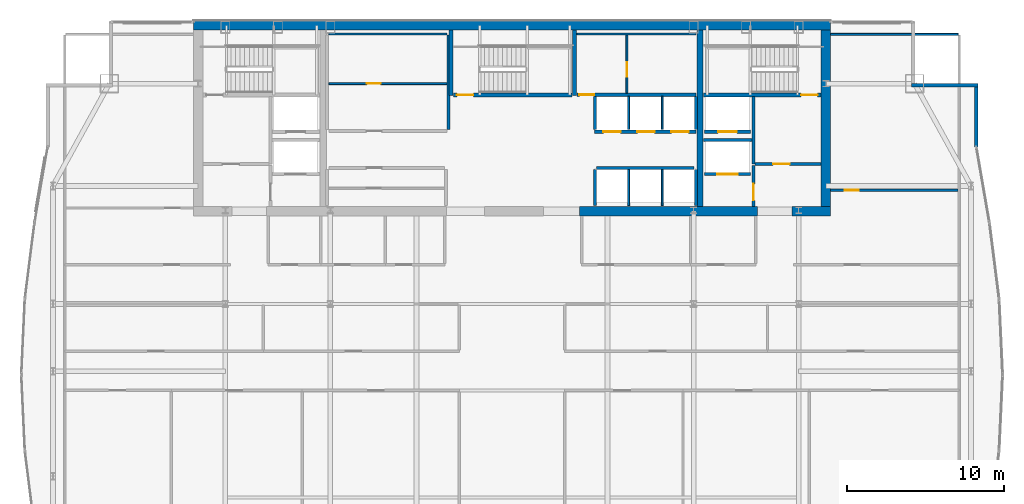
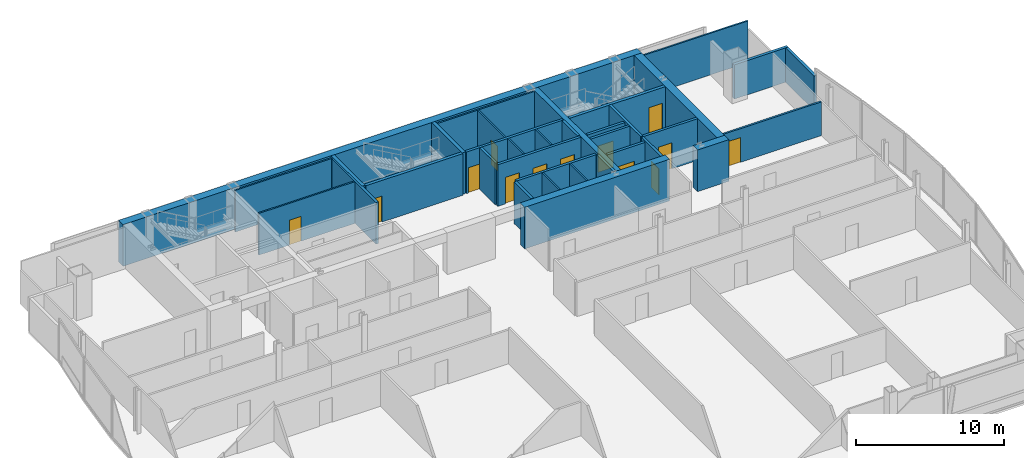
# One storey, part 27 of 30: 35 walls, 13 doors, 13 openings.
"""IFC4 building model written with IfcOpenShell, lengths in metres."""

from ifc_helpers import new_model, si_unit, direction, frame, frame_2d, origin, place, context, subcontext, project, spatial, rectangle, extrude, material, layer, layer_set, type_object, element, fill, save


model = new_model("IFC4")

# Units and contexts
model_context = context("Model", 3, precision=1e-05, world=origin(), true_north=direction((0.0, 1.0)))
body_context = subcontext(model_context, "Body", "Model", "MODEL_VIEW")
ifc_project = project(units=[si_unit("LENGTHUNIT", "METRE"), si_unit("AREAUNIT", "SQUARE_METRE"), si_unit("VOLUMEUNIT", "CUBIC_METRE"), si_unit("PLANEANGLEUNIT", "RADIAN"), si_unit("MASSUNIT", "GRAM", prefix="KILO")], contexts=[model_context])

# Site, building, storey
site_placement = place(None, origin())
site = spatial("IfcSite", under=ifc_project, at=site_placement, CompositionType="ELEMENT")
building_placement = place(site_placement, origin())
building = spatial("IfcBuilding", under=site, at=building_placement, Name="Khoronbel Lancet Exchange", CompositionType="ELEMENT")
storey_placement = place(building_placement, frame((0.0, 0.0, 224.60009765625)))
storey = spatial("IfcBuildingStorey", under=building, at=storey_placement, Name="L57", CompositionType="ELEMENT", Elevation=224.60009765625)

# Walls
ifc_material_1 = material(Name="Concrete C60/75", Category="concrete")
ifc_layer_1 = layer(ifc_material_1, 0.60009765625, Name="Concrete C60/75")
ifc_layer_set_1 = layer_set([ifc_layer_1], Name="Concrete C60/75")
wall_type_1 = type_object("IfcWallType", Name="WL-CW3", PredefinedType="SHEAR", material=ifc_layer_set_1)
wall_1_placement = place(storey_placement, frame((16.199951171875, 53.39990234375, 0.0), z_axis=(0.0, 0.0, 1.0), x_axis=(1.0, 0.0, 0.0)))
element("IfcWall", 1, at=wall_1_placement, inside=storey, type_object=wall_type_1, Name="Level L57 rear core north shear wall", PredefinedType="SHEAR", context=body_context, shape_type="SweptSolid", body=[
    extrude(rectangle(XDim=40.5, YDim=0.60009765625, at=frame_2d((20.25, 0.0))), origin(), (0.0, 0.0, 1.0), 3.43994140625),
])
wall_2_placement = place(storey_placement, frame((56.39990234375, 53.10009765625, 0.0), z_axis=(0.0, 0.0, 1.0), x_axis=(0.0, -1.0, 0.0)))
element("IfcWall", 2, at=wall_2_placement, inside=storey, type_object=wall_type_1, Name="Level L57 rear core east shear wall", PredefinedType="SHEAR", context=body_context, shape_type="SweptSolid", body=[
    extrude(rectangle(XDim=11.2001953125, YDim=0.60009765625, at=frame_2d((5.60009765625, 0.0))), origin(), (0.0, 0.0, 1.0), 3.43994140625),
])
wall_3_placement = place(storey_placement, frame((52.050048828125, 41.60009765625, 0.0), z_axis=(0.0, 0.0, 1.0), x_axis=(-1.0, 0.0, 0.0)))
element("IfcWall", 3, at=wall_3_placement, inside=storey, type_object=wall_type_1, Name="Level L57 rear core south shear wall pier P4", PredefinedType="SHEAR", context=body_context, shape_type="SweptSolid", body=[
    extrude(rectangle(XDim=11.300048828125, YDim=0.60009765625, at=frame_2d((5.64990234375, 0.0))), origin(), (0.0, 0.0, 1.0), 3.43994140625),
])
wall_4_placement = place(storey_placement, frame((56.699951171875, 41.60009765625, 0.0), z_axis=(0.0, 0.0, 1.0), x_axis=(-1.0, 0.0, 0.0)))
element("IfcWall", 4, at=wall_4_placement, inside=storey, type_object=wall_type_1, Name="Level L57 rear core south shear wall pier P5", PredefinedType="SHEAR", context=body_context, shape_type="SweptSolid", body=[
    extrude(rectangle(XDim=2.449951171875, YDim=0.60009765625, at=frame_2d((1.22509765625, 0.0))), origin(), (0.0, 0.0, 1.0), 3.43994140625),
])
ifc_material_2 = material(Name="Precast concrete C40/50", Category="concrete")
ifc_layer_2 = layer(ifc_material_2, 0.25, Name="Precast concrete C40/50")
ifc_layer_set_2 = layer_set([ifc_layer_2], Name="Precast concrete C40/50")
wall_type_2 = type_object("IfcWallType", Name="WL-EXT250", PredefinedType="SOLIDWALL", material=ifc_layer_set_2)
wall_5_placement = place(storey_placement, frame((61.85009765625, 49.610107421875, 0.0), z_axis=(0.0, 0.0, 1.0), x_axis=(1.0, 0.0, 0.0)))
element("IfcWall", 5, at=wall_5_placement, inside=storey, type_object=wall_type_2, Name="Level L57 notched-corner limestone pier 15", PredefinedType="SOLIDWALL", context=body_context, shape_type="SweptSolid", body=[
    extrude(rectangle(XDim=4.219970703125, YDim=0.219970703125, at=frame_2d((2.10986328125, 0.0))), origin(), (0.0, 0.0, 1.0), 2.829833984375),
])
wall_6_placement = place(storey_placement, frame((65.9599609375, 49.5, 0.0), z_axis=(0.0, 0.0, 1.0), x_axis=(0.0, -1.0, 0.0)))
element("IfcWall", 6, at=wall_6_placement, inside=storey, type_object=wall_type_2, Name="Level L57 notched-corner limestone pier 16", PredefinedType="SOLIDWALL", context=body_context, shape_type="SweptSolid", body=[
    extrude(rectangle(XDim=3.82763671875, YDim=0.219970703125, at=frame_2d((1.913818359375, 0.0))), origin(), (0.0, 0.0, 1.0), 2.829833984375),
])

# Wall, opening, door
ifc_material_3 = material(Name="Acoustic Metal-Stud & Mineral-Wool Gypsum Partition 120 mm", Category="gypsum")
ifc_layer_3 = layer(ifc_material_3, 0.1201171875, Name="Acoustic Metal-Stud & Mineral-Wool Gypsum Partition 120 mm")
ifc_layer_set_3 = layer_set([ifc_layer_3], Name="Acoustic Metal-Stud & Mineral-Wool Gypsum Partition 120 mm")
wall_type_3 = type_object("IfcWallType", Name="WL-PRT120", PredefinedType="PARTITIONING", material=ifc_layer_set_3)
wall_7_placement = place(storey_placement, frame((56.699951171875, 42.919921875, 0.0), z_axis=(0.0, 0.0, 1.0), x_axis=(1.0, 0.0, 0.0)))
wall_7 = element("IfcWall", 7, at=wall_7_placement, inside=storey, type_object=wall_type_3, Name="Level L57 interior partition PW-NE-H", PredefinedType="PARTITIONING", context=body_context, shape_type="SweptSolid", body=[
    extrude(rectangle(XDim=8.10498046875, YDim=0.14990234375, at=frame_2d((4.052490234375, 0.0))), origin(), (0.0, 0.0, 1.0), 2.77978515625),
])
opening_1_placement = place(wall_7_placement, frame((0.89990234375, 0.0, 0.0)))
opening_1 = element("IfcOpeningElement", 8, at=opening_1_placement, cuts=wall_7, Name="Opening D5", PredefinedType="OPENING", context=body_context, shape_type="SweptSolid", body=[
    extrude(rectangle(XDim=0.89990234375, YDim=2.050048828125, at=frame_2d((0.449951171875, 1.02490234375))), frame((0.0, 0.0849609375, 0.0), z_axis=(0.0, -1.0, 0.0), x_axis=(1.0, 0.0, 0.0)), (0.0, 0.0, 1.0), 0.169921875),
])
ifc_material_4 = material(Name="Acoustic Timber Pantry & Support Door", Category="wood")
door_type_1 = type_object("IfcDoorType", Name="DR-D5", OperationType="NOTDEFINED", PredefinedType="DOOR", material=ifc_material_4)
door_1_placement = place(opening_1_placement, origin())
door_1 = element("IfcDoor", 9, at=door_1_placement, inside=storey, type_object=door_type_1, Name="NE north room door L57-1", OperationType="SINGLE_SWING_RIGHT", OverallHeight=2.050048828125, OverallWidth=0.89990234375, PredefinedType="DOOR", context=body_context, shape_type="SweptSolid", body=[
    extrude(rectangle(XDim=0.89990234375, YDim=2.050048828125, at=frame_2d((0.449951171875, 1.02490234375))), frame((0.0, 0.02490234375, 0.0), z_axis=(0.0, -1.0, 0.0), x_axis=(1.0, 0.0, 0.0)), (0.0, 0.0, 1.0), 0.050048828125),
])
fill(opening_1, door_1)

# Walls
wall_8_placement = place(storey_placement, frame((56.699951171875, 52.840087890625, 0.0), z_axis=(0.0, 0.0, 1.0), x_axis=(1.0, 0.0, 0.0)))
element("IfcWall", 10, at=wall_8_placement, inside=storey, type_object=wall_type_3, Name="Level L57 interior partition PW-LIN-NE", PredefinedType="PARTITIONING", context=body_context, shape_type="SweptSolid", body=[
    extrude(rectangle(XDim=8.10498046875, YDim=0.1201171875, at=frame_2d((4.052490234375, 0.0))), origin(), (0.0, 0.0, 1.0), 3.43994140625),
])
ifc_material_5 = material(Name="Fire-Rated Metal-Stud & Mineral-Wool Gypsum Partition 120 mm", Category="gypsum")
ifc_layer_4 = layer(ifc_material_5, 0.1201171875, Name="Fire-Rated Metal-Stud & Mineral-Wool Gypsum Partition 120 mm")
ifc_layer_set_4 = layer_set([ifc_layer_4], Name="Fire-Rated Metal-Stud & Mineral-Wool Gypsum Partition 120 mm")
wall_type_4 = type_object("IfcWallType", Name="WL-PRT120F", PredefinedType="PARTITIONING", material=ifc_layer_set_4)
wall_9_placement = place(storey_placement, frame((24.804931640625, 52.860107421875, 0.0), z_axis=(0.0, 0.0, 1.0), x_axis=(1.0, 0.0, 0.0)))
element("IfcWall", 11, at=wall_9_placement, inside=storey, type_object=wall_type_4, Name="Level L57 interior partition CW-PL-RN", PredefinedType="PARTITIONING", context=body_context, shape_type="SweptSolid", body=[
    extrude(rectangle(XDim=7.510009765625, YDim=0.1201171875, at=frame_2d((3.7548828125, 0.0))), origin(), (0.0, 0.0, 1.0), 3.43994140625),
])

# Wall, opening, door
wall_10_placement = place(storey_placement, frame((24.804931640625, 49.708740234375, 0.0), z_axis=(0.0, 0.0, 1.0), x_axis=(1.0, 0.0, 0.0)))
wall_10 = element("IfcWall", 12, at=wall_10_placement, inside=storey, type_object=wall_type_4, Name="Level L57 interior partition CW-PL-RH", PredefinedType="PARTITIONING", context=body_context, shape_type="SweptSolid", body=[
    extrude(rectangle(XDim=7.510009765625, YDim=0.1201171875, at=frame_2d((3.7548828125, 0.0))), origin(), (0.0, 0.0, 1.0), 3.43994140625),
])
opening_2_placement = place(wall_10_placement, frame((2.39990234375, 0.0, 0.0)))
opening_2 = element("IfcOpeningElement", 13, at=opening_2_placement, cuts=wall_10, Name="Opening FD4", PredefinedType="OPENING", context=body_context, shape_type="SweptSolid", body=[
    extrude(rectangle(XDim=0.89990234375, YDim=2.050048828125, at=frame_2d((0.449951171875, 1.02490234375))), frame((0.0, 0.070068359375, 0.0), z_axis=(0.0, -1.0, 0.0), x_axis=(1.0, 0.0, 0.0)), (0.0, 0.0, 1.0), 0.14013671875),
])
ifc_material_6 = material(Name="Fire-Rated Steel Core Support Door Assembly", Category="steel")
door_type_2 = type_object("IfcDoorType", Name="DR-FD4", OperationType="NOTDEFINED", PredefinedType="DOOR", material=ifc_material_6)
door_2_placement = place(opening_2_placement, origin())
door_2 = element("IfcDoor", 14, at=door_2_placement, inside=storey, type_object=door_type_2, Name="Core PL inner store door L57-1", OperationType="SINGLE_SWING_RIGHT", OverallHeight=2.050048828125, OverallWidth=0.89990234375, PredefinedType="DOOR", context=body_context, shape_type="SweptSolid", body=[
    extrude(rectangle(XDim=0.89990234375, YDim=2.050048828125, at=frame_2d((0.449951171875, 1.02490234375))), frame((0.0, 0.02490234375, 0.0), z_axis=(0.0, -1.0, 0.0), x_axis=(1.0, 0.0, 0.0)), (0.0, 0.0, 1.0), 0.050048828125),
])
fill(opening_2, door_2)

# Walls
for number, where, z_axis, x_axis, name in (
    (15, (43.860107421875, 46.800048828125, 0.0), (0.0, 0.0, 1.0), (0.0, 1.0, 0.0), "Level L57 interior partition CW-PH-D1"),
    (16, (46.0, 46.800048828125, 0.0), (0.0, 0.0, 1.0), (0.0, 1.0, 0.0), "Level L57 interior partition CW-PH-D2"),
):
    element("IfcWall", number, at=place(storey_placement, frame(where, z_axis=z_axis, x_axis=x_axis)), inside=storey, type_object=wall_type_4, Name=name, PredefinedType="PARTITIONING", context=body_context, shape_type="SweptSolid", body=[
        extrude(rectangle(XDim=2.094970703125, YDim=0.1201171875, at=frame_2d((1.04736328125, 0.0))), origin(), (0.0, 0.0, 1.0), 3.43994140625),
    ])
for number, where, z_axis, x_axis, name in (
    (17, (43.860107421875, 41.949951171875, 0.0), (0.0, 0.0, 1.0), (0.0, 1.0, 0.0), "Level L57 interior partition CW-PX-D1"),
    (18, (46.0, 41.949951171875, 0.0), (0.0, 0.0, 1.0), (0.0, 1.0, 0.0), "Level L57 interior partition CW-PX-D2"),
):
    element("IfcWall", number, at=place(storey_placement, frame(where, z_axis=z_axis, x_axis=x_axis)), inside=storey, type_object=wall_type_4, Name=name, PredefinedType="PARTITIONING", context=body_context, shape_type="SweptSolid", body=[
        extrude(rectangle(XDim=2.295166015625, YDim=0.1201171875, at=frame_2d((1.1474609375, 0.0))), origin(), (0.0, 0.0, 1.0), 3.43994140625),
    ])
wall_11_placement = place(storey_placement, frame((40.580078125, 52.860107421875, 0.0), z_axis=(0.0, 0.0, 1.0), x_axis=(1.0, 0.0, 0.0)))
element("IfcWall", 19, at=wall_11_placement, inside=storey, type_object=wall_type_4, Name="Level L57 interior partition CW-SUP-NE-N", PredefinedType="PARTITIONING", context=body_context, shape_type="SweptSolid", body=[
    extrude(rectangle(XDim=7.559814453125, YDim=0.1201171875, at=frame_2d((3.77978515625, 0.0))), origin(), (0.0, 0.0, 1.0), 3.43994140625),
])

# Wall, opening, door
wall_12_placement = place(storey_placement, frame((43.755126953125, 49.10498046875, 0.0), z_axis=(0.0, 0.0, 1.0), x_axis=(0.0, 1.0, 0.0)))
wall_12 = element("IfcWall", 20, at=wall_12_placement, inside=storey, type_object=wall_type_4, Name="Level L57 interior partition CW-SUP-NE-M", PredefinedType="PARTITIONING", context=body_context, shape_type="SweptSolid", body=[
    extrude(rectangle(XDim=3.68994140625, YDim=0.1201171875, at=frame_2d((1.844970703125, 0.0))), origin(), (0.0, 0.0, 1.0), 3.43994140625),
])
opening_3_placement = place(wall_12_placement, frame((1.050048828125, 0.0, 0.0)))
opening_3 = element("IfcOpeningElement", 21, at=opening_3_placement, cuts=wall_12, Name="Opening FD4", PredefinedType="OPENING", context=body_context, shape_type="SweptSolid", body=[
    extrude(rectangle(XDim=0.89990234375, YDim=2.050048828125, at=frame_2d((0.449951171875, 1.02490234375))), frame((0.0, 0.070068359375, 0.0), z_axis=(0.0, -1.0, 0.0), x_axis=(1.0, 0.0, 0.0)), (0.0, 0.0, 1.0), 0.14013671875),
])
door_3_placement = place(opening_3_placement, origin())
door_3 = element("IfcDoor", 22, at=door_3_placement, inside=storey, type_object=door_type_2, Name="Core NE inner support door L57-1", OperationType="SINGLE_SWING_LEFT", OverallHeight=2.050048828125, OverallWidth=0.89990234375, PredefinedType="DOOR", context=body_context, shape_type="SweptSolid", body=[
    extrude(rectangle(XDim=0.89990234375, YDim=2.050048828125, at=frame_2d((0.449951171875, 1.02490234375))), frame((0.0, 0.02490234375, 0.0), z_axis=(0.0, -1.0, 0.0), x_axis=(1.0, 0.0, 0.0)), (0.0, 0.0, 1.0), 0.050048828125),
])
fill(opening_3, door_3)

ifc_material_7 = material(Name="Autoclaved Aerated Concrete Blockwork 200 mm", Category="masonry")
ifc_layer_5 = layer(ifc_material_7, 0.199951171875, Name="Autoclaved Aerated Concrete Blockwork 200 mm")
ifc_layer_set_5 = layer_set([ifc_layer_5], Name="Autoclaved Aerated Concrete Blockwork 200 mm")
wall_type_5 = type_object("IfcWallType", Name="WL-PRT200", PredefinedType="PARTITIONING", material=ifc_layer_set_5)
wall_13_placement = place(storey_placement, frame((51.610107421875, 43.949951171875, 0.0), z_axis=(0.0, 0.0, 1.0), x_axis=(-1.0, 0.0, 0.0)))
wall_13 = element("IfcWall", 23, at=wall_13_placement, inside=storey, type_object=wall_type_5, Name="Level L57 elevator hoistway landing front wall SVLE", PredefinedType="PARTITIONING", context=body_context, shape_type="SweptSolid", body=[
    extrude(rectangle(XDim=2.920166015625, YDim=0.199951171875, at=frame_2d((1.4599609375, 0.0))), origin(), (0.0, 0.0, 1.0), 3.43994140625),
])
opening_4_placement = place(wall_13_placement, frame((0.81005859375, 0.0, 0.0)))
opening_4 = element("IfcOpeningElement", 24, at=opening_4_placement, cuts=wall_13, Name="Opening LD-SVL2", PredefinedType="OPENING", context=body_context, shape_type="SweptSolid", body=[
    extrude(rectangle(XDim=1.300048828125, YDim=2.179931640625, at=frame_2d((0.64990234375, 1.08984375))), frame((0.0, 0.10986328125, 0.0), z_axis=(0.0, -1.0, 0.0), x_axis=(1.0, 0.0, 0.0)), (0.0, 0.0, 1.0), 0.219970703125),
])
ifc_material_8 = material(Name="Heavy-Duty Bi-Parting Goods Lift Landing Door", Category="steel")
door_type_3 = type_object("IfcDoorType", Name="DR-LD-SVL", OperationType="NOTDEFINED", PredefinedType="DOOR", material=ifc_material_8)
door_4_placement = place(opening_4_placement, origin())
door_4 = element("IfcDoor", 25, at=door_4_placement, inside=storey, type_object=door_type_3, Name="Elevator landing sliding door LD-SVL2 L57", OperationType="SLIDING_TO_LEFT", OverallHeight=2.179931640625, OverallWidth=1.300048828125, PredefinedType="DOOR", context=body_context, shape_type="SweptSolid", body=[
    extrude(rectangle(XDim=1.300048828125, YDim=2.179931640625, at=frame_2d((0.64990234375, 1.08984375))), frame((0.0, 0.02490234375, 0.0), z_axis=(0.0, -1.0, 0.0), x_axis=(1.0, 0.0, 0.0)), (0.0, 0.0, 1.0), 0.050048828125),
])
fill(opening_4, door_4)

wall_14_placement = place(storey_placement, frame((51.610107421875, 46.64990234375, 0.0), z_axis=(0.0, 0.0, 1.0), x_axis=(-1.0, 0.0, 0.0)))
wall_14 = element("IfcWall", 26, at=wall_14_placement, inside=storey, type_object=wall_type_5, Name="Level L57 elevator hoistway landing front wall FFLE", PredefinedType="PARTITIONING", context=body_context, shape_type="SweptSolid", body=[
    extrude(rectangle(XDim=2.920166015625, YDim=0.199951171875, at=frame_2d((1.4599609375, 0.0))), origin(), (0.0, 0.0, 1.0), 3.43994140625),
])
opening_5_placement = place(wall_14_placement, frame((0.860107421875, 0.0, 0.0)))
opening_5 = element("IfcOpeningElement", 27, at=opening_5_placement, cuts=wall_14, Name="Opening LD-FFL2", PredefinedType="OPENING", context=body_context, shape_type="SweptSolid", body=[
    extrude(rectangle(XDim=1.199951171875, YDim=2.179931640625, at=frame_2d((0.60009765625, 1.08984375))), frame((0.0, 0.10986328125, 0.0), z_axis=(0.0, -1.0, 0.0), x_axis=(1.0, 0.0, 0.0)), (0.0, 0.0, 1.0), 0.219970703125),
])
ifc_material_9 = material(Name="Fire-Rated Stainless Bi-Parting Firefighting Lift Door", Category="steel")
door_type_4 = type_object("IfcDoorType", Name="DR-LD-FFL", OperationType="NOTDEFINED", PredefinedType="DOOR", material=ifc_material_9)
door_5_placement = place(opening_5_placement, origin())
door_5 = element("IfcDoor", 28, at=door_5_placement, inside=storey, type_object=door_type_4, Name="Elevator landing sliding door LD-FFL2 L57", OperationType="SLIDING_TO_LEFT", OverallHeight=2.179931640625, OverallWidth=1.199951171875, PredefinedType="DOOR", context=body_context, shape_type="SweptSolid", body=[
    extrude(rectangle(XDim=1.199951171875, YDim=2.179931640625, at=frame_2d((0.60009765625, 1.08984375))), frame((0.0, 0.02490234375, 0.0), z_axis=(0.0, -1.0, 0.0), x_axis=(1.0, 0.0, 0.0)), (0.0, 0.0, 1.0), 0.050048828125),
])
fill(opening_5, door_5)

# Wall, openings, doors
wall_15_placement = place(storey_placement, frame((48.159912109375, 46.64990234375, 0.0), z_axis=(0.0, 0.0, 1.0), x_axis=(-1.0, 0.0, 0.0)))
wall_15 = element("IfcWall", 29, at=wall_15_placement, inside=storey, type_object=wall_type_5, Name="Level L57 elevator hoistway landing front wall PHE", PredefinedType="PARTITIONING", context=body_context, shape_type="SweptSolid", body=[
    extrude(rectangle(XDim=6.47998046875, YDim=0.199951171875, at=frame_2d((3.239990234375, 0.0))), origin(), (0.0, 0.0, 1.0), 3.43994140625),
])
opening_6_placement = place(wall_15_placement, frame((4.800048828125, 0.0, 0.0)))
opening_6 = element("IfcOpeningElement", 30, at=opening_6_placement, cuts=wall_15, Name="Opening LD-PH1", PredefinedType="OPENING", context=body_context, shape_type="SweptSolid", body=[
    extrude(rectangle(XDim=1.10009765625, YDim=2.179931640625, at=frame_2d((0.550048828125, 1.08984375))), frame((0.0, 0.10986328125, 0.0), z_axis=(0.0, -1.0, 0.0), x_axis=(1.0, 0.0, 0.0)), (0.0, 0.0, 1.0), 0.219970703125),
])
opening_7_placement = place(wall_15_placement, frame((2.639892578125, 0.0, 0.0)))
opening_7 = element("IfcOpeningElement", 31, at=opening_7_placement, cuts=wall_15, Name="Opening LD-PH2", PredefinedType="OPENING", context=body_context, shape_type="SweptSolid", body=[
    extrude(rectangle(XDim=1.10009765625, YDim=2.179931640625, at=frame_2d((0.550048828125, 1.08984375))), frame((0.0, 0.10986328125, 0.0), z_axis=(0.0, -1.0, 0.0), x_axis=(1.0, 0.0, 0.0)), (0.0, 0.0, 1.0), 0.219970703125),
])
opening_8_placement = place(wall_15_placement, frame((0.47998046875, 0.0, 0.0)))
opening_8 = element("IfcOpeningElement", 32, at=opening_8_placement, cuts=wall_15, Name="Opening LD-PH3", PredefinedType="OPENING", context=body_context, shape_type="SweptSolid", body=[
    extrude(rectangle(XDim=1.10009765625, YDim=2.179931640625, at=frame_2d((0.550048828125, 1.08984375))), frame((0.0, 0.10986328125, 0.0), z_axis=(0.0, -1.0, 0.0), x_axis=(1.0, 0.0, 0.0)), (0.0, 0.0, 1.0), 0.219970703125),
])
ifc_material_10 = material(Name="Brushed Bronze Bi-Parting Elevator Landing Door", Category="steel")
door_type_5 = type_object("IfcDoorType", Name="DR-LD-PAX", OperationType="NOTDEFINED", PredefinedType="DOOR", material=ifc_material_10)
door_6_placement = place(opening_6_placement, origin())
door_6 = element("IfcDoor", 33, at=door_6_placement, inside=storey, type_object=door_type_5, Name="Elevator landing sliding door LD-PH1 L57", OperationType="SLIDING_TO_LEFT", OverallHeight=2.179931640625, OverallWidth=1.10009765625, PredefinedType="DOOR", context=body_context, shape_type="SweptSolid", body=[
    extrude(rectangle(XDim=1.10009765625, YDim=2.179931640625, at=frame_2d((0.550048828125, 1.08984375))), frame((0.0, 0.02490234375, 0.0), z_axis=(0.0, -1.0, 0.0), x_axis=(1.0, 0.0, 0.0)), (0.0, 0.0, 1.0), 0.050048828125),
])
fill(opening_6, door_6)
door_7_placement = place(opening_7_placement, origin())
door_7 = element("IfcDoor", 34, at=door_7_placement, inside=storey, type_object=door_type_5, Name="Elevator landing sliding door LD-PH2 L57", OperationType="SLIDING_TO_LEFT", OverallHeight=2.179931640625, OverallWidth=1.10009765625, PredefinedType="DOOR", context=body_context, shape_type="SweptSolid", body=[
    extrude(rectangle(XDim=1.10009765625, YDim=2.179931640625, at=frame_2d((0.550048828125, 1.08984375))), frame((0.0, 0.02490234375, 0.0), z_axis=(0.0, -1.0, 0.0), x_axis=(1.0, 0.0, 0.0)), (0.0, 0.0, 1.0), 0.050048828125),
])
fill(opening_7, door_7)
door_8_placement = place(opening_8_placement, origin())
door_8 = element("IfcDoor", 35, at=door_8_placement, inside=storey, type_object=door_type_5, Name="Elevator landing sliding door LD-PH3 L57", OperationType="SLIDING_TO_LEFT", OverallHeight=2.179931640625, OverallWidth=1.10009765625, PredefinedType="DOOR", context=body_context, shape_type="SweptSolid", body=[
    extrude(rectangle(XDim=1.10009765625, YDim=2.179931640625, at=frame_2d((0.550048828125, 1.08984375))), frame((0.0, 0.02490234375, 0.0), z_axis=(0.0, -1.0, 0.0), x_axis=(1.0, 0.0, 0.0)), (0.0, 0.0, 1.0), 0.050048828125),
])
fill(opening_8, door_8)

# Wall
wall_16_placement = place(storey_placement, frame((51.800048828125, 44.60009765625, 0.0), z_axis=(0.0, 0.0, 1.0), x_axis=(0.0, 1.0, 0.0)))
element("IfcWall", 36, at=wall_16_placement, inside=storey, type_object=wall_type_5, Name="Level L57 interior partition CW-FFLE-W", PredefinedType="PARTITIONING", context=body_context, shape_type="SweptSolid", body=[
    extrude(rectangle(XDim=4.2998046875, YDim=0.199951171875, at=frame_2d((2.14990234375, 0.0))), origin(), (0.0, 0.0, 1.0), 3.43994140625),
])

# Wall, opening, door
wall_17_placement = place(storey_placement, frame((51.89990234375, 44.60009765625, 0.0), z_axis=(0.0, 0.0, 1.0), x_axis=(1.0, 0.0, 0.0)))
wall_17 = element("IfcWall", 37, at=wall_17_placement, inside=storey, type_object=wall_type_5, Name="Level L57 interior partition CW-FFLE-S", PredefinedType="PARTITIONING", context=body_context, shape_type="SweptSolid", body=[
    extrude(rectangle(XDim=4.2001953125, YDim=0.199951171875, at=frame_2d((2.10009765625, 0.0))), origin(), (0.0, 0.0, 1.0), 3.43994140625),
])
opening_9_placement = place(wall_17_placement, frame((1.14990234375, 0.0, 0.0)))
opening_9 = element("IfcOpeningElement", 38, at=opening_9_placement, cuts=wall_17, Name="Opening FD1", PredefinedType="OPENING", context=body_context, shape_type="SweptSolid", body=[
    extrude(rectangle(XDim=1.050048828125, YDim=2.14990234375, at=frame_2d((0.52490234375, 1.074951171875))), frame((0.0, 0.10986328125, 0.0), z_axis=(0.0, -1.0, 0.0), x_axis=(1.0, 0.0, 0.0)), (0.0, 0.0, 1.0), 0.219970703125),
])
ifc_material_11 = material(Name="Fire-Rated Painted Steel Door Assembly", Category="steel")
door_type_6 = type_object("IfcDoorType", Name="DR-FD1", OperationType="NOTDEFINED", PredefinedType="DOOR", material=ifc_material_11)
door_9_placement = place(opening_9_placement, origin())
door_9 = element("IfcDoor", 39, at=door_9_placement, inside=storey, type_object=door_type_6, Name="East firefighting lobby FD90S door L57-1", OperationType="SINGLE_SWING_RIGHT", OverallHeight=2.14990234375, OverallWidth=1.050048828125, PredefinedType="DOOR", context=body_context, shape_type="SweptSolid", body=[
    extrude(rectangle(XDim=1.050048828125, YDim=2.14990234375, at=frame_2d((0.52490234375, 1.074951171875))), frame((0.0, 0.02490234375, 0.0), z_axis=(0.0, -1.0, 0.0), x_axis=(1.0, 0.0, 0.0)), (0.0, 0.0, 1.0), 0.050048828125),
])
fill(opening_9, door_9)

# Wall
wall_18_placement = place(storey_placement, frame((48.6298828125, 46.1201171875, 0.0), z_axis=(0.0, 0.0, 1.0), x_axis=(1.0, 0.0, 0.0)))
element("IfcWall", 40, at=wall_18_placement, inside=storey, type_object=wall_type_5, Name="Level L57 interior partition CW-FFL2-S", PredefinedType="PARTITIONING", context=body_context, shape_type="SweptSolid", body=[
    extrude(rectangle(XDim=3.070068359375, YDim=0.199951171875, at=frame_2d((1.53515625, 0.0))), origin(), (0.0, 0.0, 1.0), 3.43994140625),
])

# Wall, opening, door
wall_19_placement = place(storey_placement, frame((51.800048828125, 41.89990234375, 0.0), z_axis=(0.0, 0.0, 1.0), x_axis=(0.0, 1.0, 0.0)))
wall_19 = element("IfcWall", 41, at=wall_19_placement, inside=storey, type_object=wall_type_5, Name="Level L57 interior partition CW-SVLE-E", PredefinedType="PARTITIONING", context=body_context, shape_type="SweptSolid", body=[
    extrude(rectangle(XDim=2.59521484375, YDim=0.199951171875, at=frame_2d((1.297607421875, 0.0))), origin(), (0.0, 0.0, 1.0), 3.43994140625),
])
opening_10_placement = place(wall_19_placement, frame((0.3798828125, 0.0, 0.0)))
opening_10 = element("IfcOpeningElement", 42, at=opening_10_placement, cuts=wall_19, Name="Opening FD1", PredefinedType="OPENING", context=body_context, shape_type="SweptSolid", body=[
    extrude(rectangle(XDim=1.050048828125, YDim=2.14990234375, at=frame_2d((0.52490234375, 1.074951171875))), frame((0.0, 0.10986328125, 0.0), z_axis=(0.0, -1.0, 0.0), x_axis=(1.0, 0.0, 0.0)), (0.0, 0.0, 1.0), 0.219970703125),
])
door_10_placement = place(opening_10_placement, origin())
door_10 = element("IfcDoor", 43, at=door_10_placement, inside=storey, type_object=door_type_6, Name="East service lift lobby door L57-1", OperationType="SINGLE_SWING_LEFT", OverallHeight=2.14990234375, OverallWidth=1.050048828125, PredefinedType="DOOR", context=body_context, shape_type="SweptSolid", body=[
    extrude(rectangle(XDim=1.050048828125, YDim=2.14990234375, at=frame_2d((0.52490234375, 1.074951171875))), frame((0.0, 0.02490234375, 0.0), z_axis=(0.0, -1.0, 0.0), x_axis=(1.0, 0.0, 0.0)), (0.0, 0.0, 1.0), 0.050048828125),
])
fill(opening_10, door_10)

# Walls
wall_20_placement = place(storey_placement, frame((32.419921875, 46.804931640625, 0.0), z_axis=(0.0, 0.0, 1.0), x_axis=(0.0, 1.0, 0.0)))
element("IfcWall", 44, at=wall_20_placement, inside=storey, type_object=wall_type_5, Name="Level L57 interior partition CW-PL-RE", PredefinedType="PARTITIONING", context=body_context, shape_type="SweptSolid", body=[
    extrude(rectangle(XDim=5.989990234375, YDim=0.199951171875, at=frame_2d((2.9951171875, 0.0))), origin(), (0.0, 0.0, 1.0), 3.43994140625),
])
for number, where, z_axis, x_axis, name in (
    (45, (41.719970703125, 46.800048828125, 0.0), (0.0, 0.0, 1.0), (0.0, 1.0, 0.0), "Level L57 interior partition CW-PH-W"),
    (46, (48.139892578125, 46.800048828125, 0.0), (0.0, 0.0, 1.0), (0.0, 1.0, 0.0), "Level L57 interior partition CW-PH-E"),
):
    element("IfcWall", number, at=place(storey_placement, frame(where, z_axis=z_axis, x_axis=x_axis)), inside=storey, type_object=wall_type_5, Name=name, PredefinedType="PARTITIONING", context=body_context, shape_type="SweptSolid", body=[
        extrude(rectangle(XDim=2.094970703125, YDim=0.199951171875, at=frame_2d((1.04736328125, 0.0))), origin(), (0.0, 0.0, 1.0), 3.43994140625),
    ])
wall_21_placement = place(storey_placement, frame((41.824951171875, 44.35009765625, 0.0), z_axis=(0.0, 0.0, 1.0), x_axis=(1.0, 0.0, 0.0)))
element("IfcWall", 47, at=wall_21_placement, inside=storey, type_object=wall_type_5, Name="Level L57 interior partition CW-PX-EXP", PredefinedType="PARTITIONING", context=body_context, shape_type="SweptSolid", body=[
    extrude(rectangle(XDim=6.2099609375, YDim=0.199951171875, at=frame_2d((3.10498046875, 0.0))), origin(), (0.0, 0.0, 1.0), 3.43994140625),
])
for number, where, z_axis, x_axis, name in (
    (48, (41.719970703125, 41.949951171875, 0.0), (0.0, 0.0, 1.0), (0.0, 1.0, 0.0), "Level L57 interior partition CW-PX-W"),
    (49, (48.139892578125, 41.949951171875, 0.0), (0.0, 0.0, 1.0), (0.0, 1.0, 0.0), "Level L57 interior partition CW-PX-E"),
):
    element("IfcWall", number, at=place(storey_placement, frame(where, z_axis=z_axis, x_axis=x_axis)), inside=storey, type_object=wall_type_5, Name=name, PredefinedType="PARTITIONING", context=body_context, shape_type="SweptSolid", body=[
        extrude(rectangle(XDim=2.295166015625, YDim=0.199951171875, at=frame_2d((1.1474609375, 0.0))), origin(), (0.0, 0.0, 1.0), 3.43994140625),
    ])

# Wall, opening, door
wall_22_placement = place(storey_placement, frame((40.580078125, 49.0, 0.0), z_axis=(0.0, 0.0, 1.0), x_axis=(1.0, 0.0, 0.0)))
wall_22 = element("IfcWall", 50, at=wall_22_placement, inside=storey, type_object=wall_type_5, Name="Level L57 interior partition CW-SUP-NE-S", PredefinedType="PARTITIONING", context=body_context, shape_type="SweptSolid", body=[
    extrude(rectangle(XDim=7.559814453125, YDim=0.199951171875, at=frame_2d((3.77978515625, 0.0))), origin(), (0.0, 0.0, 1.0), 3.43994140625),
])
opening_11_placement = place(wall_22_placement, frame((0.159912109375, 0.0, 0.0)))
opening_11 = element("IfcOpeningElement", 51, at=opening_11_placement, cuts=wall_22, Name="Opening FD3", PredefinedType="OPENING", context=body_context, shape_type="SweptSolid", body=[
    extrude(rectangle(XDim=0.949951171875, YDim=2.10009765625, at=frame_2d((0.47509765625, 1.050048828125))), frame((0.0, 0.10986328125, 0.0), z_axis=(0.0, -1.0, 0.0), x_axis=(1.0, 0.0, 0.0)), (0.0, 0.0, 1.0), 0.219970703125),
])
ifc_material_12 = material(Name="Fire-Rated Steel Plant & Riser Door Assembly", Category="steel")
door_type_7 = type_object("IfcDoorType", Name="DR-FD3", OperationType="NOTDEFINED", PredefinedType="DOOR", material=ifc_material_12)
door_11_placement = place(opening_11_placement, origin())
door_11 = element("IfcDoor", 52, at=door_11_placement, inside=storey, type_object=door_type_7, Name="Core NE support room door L57-1", OperationType="SINGLE_SWING_RIGHT", OverallHeight=2.10009765625, OverallWidth=0.949951171875, PredefinedType="DOOR", context=body_context, shape_type="SweptSolid", body=[
    extrude(rectangle(XDim=0.949951171875, YDim=2.10009765625, at=frame_2d((0.47509765625, 1.050048828125))), frame((0.0, 0.02490234375, 0.0), z_axis=(0.0, -1.0, 0.0), x_axis=(1.0, 0.0, 0.0)), (0.0, 0.0, 1.0), 0.050048828125),
])
fill(opening_11, door_11)

# Walls
ifc_layer_6 = layer(ifc_material_1, 0.39990234375, Name="Concrete C60/75")
ifc_layer_set_6 = layer_set([ifc_layer_6], Name="Concrete C60/75")
wall_type_6 = type_object("IfcWallType", Name="WL-SW2", PredefinedType="SHEAR", material=ifc_layer_set_6)
wall_23_placement = place(storey_placement, frame((48.39990234375, 41.89990234375, 0.0), z_axis=(0.0, 0.0, 1.0), x_axis=(0.0, 1.0, 0.0)))
element("IfcWall", 53, at=wall_23_placement, inside=storey, type_object=wall_type_6, Name="Level L57 rear core internal spine shear wall IE", PredefinedType="SHEAR", context=body_context, shape_type="SweptSolid", body=[
    extrude(rectangle(XDim=11.2001953125, YDim=0.39990234375, at=frame_2d((5.60009765625, 0.0))), origin(), (0.0, 0.0, 1.0), 3.43994140625),
])
ifc_layer_7 = layer(ifc_material_1, 0.260009765625, Name="Concrete C60/75")
ifc_layer_set_7 = layer_set([ifc_layer_7], Name="Concrete C60/75")
wall_type_7 = type_object("IfcWallType", Name="WL-SW3", PredefinedType="SHEAR", material=ifc_layer_set_7)
for number, where, z_axis, x_axis, name in (
    (54, (32.580078125, 48.949951171875, 0.0), (0.0, 0.0, 1.0), (0.0, 1.0, 0.0), "Level L57 central stairwell structural shear wall ST3W"),
    (55, (40.419921875, 48.949951171875, 0.0), (0.0, 0.0, 1.0), (0.0, 1.0, 0.0), "Level L57 central stairwell structural shear wall ST3E"),
):
    element("IfcWall", number, at=place(storey_placement, frame(where, z_axis=z_axis, x_axis=x_axis)), inside=storey, type_object=wall_type_7, Name=name, PredefinedType="SHEAR", context=body_context, shape_type="SweptSolid", body=[
        extrude(rectangle(XDim=4.150146484375, YDim=0.260009765625, at=frame_2d((2.0751953125, 0.0))), origin(), (0.0, 0.0, 1.0), 3.43994140625),
    ])

# Wall, opening, door
wall_24_placement = place(storey_placement, frame((48.6298828125, 48.97998046875, 0.0), z_axis=(0.0, 0.0, 1.0), x_axis=(1.0, 0.0, 0.0)))
wall_24 = element("IfcWall", 56, at=wall_24_placement, inside=storey, type_object=wall_type_7, Name="Level L57 east stairwell structural south wall", PredefinedType="SHEAR", context=body_context, shape_type="SweptSolid", body=[
    extrude(rectangle(XDim=7.47021484375, YDim=0.239990234375, at=frame_2d((3.735107421875, 0.0))), origin(), (0.0, 0.0, 1.0), 3.43994140625),
])
opening_12_placement = place(wall_24_placement, frame((6.199951171875, 0.0, 0.0)))
opening_12 = element("IfcOpeningElement", 57, at=opening_12_placement, cuts=wall_24, Name="Opening SD1", PredefinedType="OPENING", context=body_context, shape_type="SweptSolid", body=[
    extrude(rectangle(XDim=1.050048828125, YDim=2.14990234375, at=frame_2d((0.52490234375, 1.074951171875))), frame((0.0, 0.1298828125, 0.0), z_axis=(0.0, -1.0, 0.0), x_axis=(1.0, 0.0, 0.0)), (0.0, 0.0, 1.0), 0.260009765625),
])
ifc_material_13 = material(Name="Fire-Rated Steel Stairwell Door Assembly", Category="steel")
door_type_8 = type_object("IfcDoorType", Name="DR-SD1", OperationType="NOTDEFINED", PredefinedType="DOOR", material=ifc_material_13)
door_12_placement = place(opening_12_placement, origin())
door_12 = element("IfcDoor", 58, at=door_12_placement, inside=storey, type_object=door_type_8, Name="Protected exit stair ST2 door L57", OperationType="SINGLE_SWING_RIGHT", OverallHeight=2.14990234375, OverallWidth=1.050048828125, PredefinedType="DOOR", context=body_context, shape_type="SweptSolid", body=[
    extrude(rectangle(XDim=1.050048828125, YDim=2.14990234375, at=frame_2d((0.52490234375, 1.074951171875))), frame((0.0, 0.02490234375, 0.0), z_axis=(0.0, -1.0, 0.0), x_axis=(1.0, 0.0, 0.0)), (0.0, 0.0, 1.0), 0.050048828125),
])
fill(opening_12, door_12)

wall_25_placement = place(storey_placement, frame((32.719970703125, 48.97998046875, 0.0), z_axis=(0.0, 0.0, 1.0), x_axis=(1.0, 0.0, 0.0)))
wall_25 = element("IfcWall", 59, at=wall_25_placement, inside=storey, type_object=wall_type_7, Name="Level L57 central stairwell structural south wall", PredefinedType="SHEAR", context=body_context, shape_type="SweptSolid", body=[
    extrude(rectangle(XDim=7.56005859375, YDim=0.239990234375, at=frame_2d((3.780029296875, 0.0))), origin(), (0.0, 0.0, 1.0), 3.43994140625),
])
opening_13_placement = place(wall_25_placement, frame((0.219970703125, 0.0, 0.0)))
opening_13 = element("IfcOpeningElement", 60, at=opening_13_placement, cuts=wall_25, Name="Opening SD1", PredefinedType="OPENING", context=body_context, shape_type="SweptSolid", body=[
    extrude(rectangle(XDim=1.050048828125, YDim=2.14990234375, at=frame_2d((0.52490234375, 1.074951171875))), frame((0.0, 0.1298828125, 0.0), z_axis=(0.0, -1.0, 0.0), x_axis=(1.0, 0.0, 0.0)), (0.0, 0.0, 1.0), 0.260009765625),
])
door_13_placement = place(opening_13_placement, origin())
door_13 = element("IfcDoor", 61, at=door_13_placement, inside=storey, type_object=door_type_8, Name="Protected exit stair ST3 door L57", OperationType="SINGLE_SWING_LEFT", OverallHeight=2.14990234375, OverallWidth=1.050048828125, PredefinedType="DOOR", context=body_context, shape_type="SweptSolid", body=[
    extrude(rectangle(XDim=1.050048828125, YDim=2.14990234375, at=frame_2d((0.52490234375, 1.074951171875))), frame((0.0, 0.02490234375, 0.0), z_axis=(0.0, -1.0, 0.0), x_axis=(1.0, 0.0, 0.0)), (0.0, 0.0, 1.0), 0.050048828125),
])
fill(opening_13, door_13)

save(model, "model.ifc")
